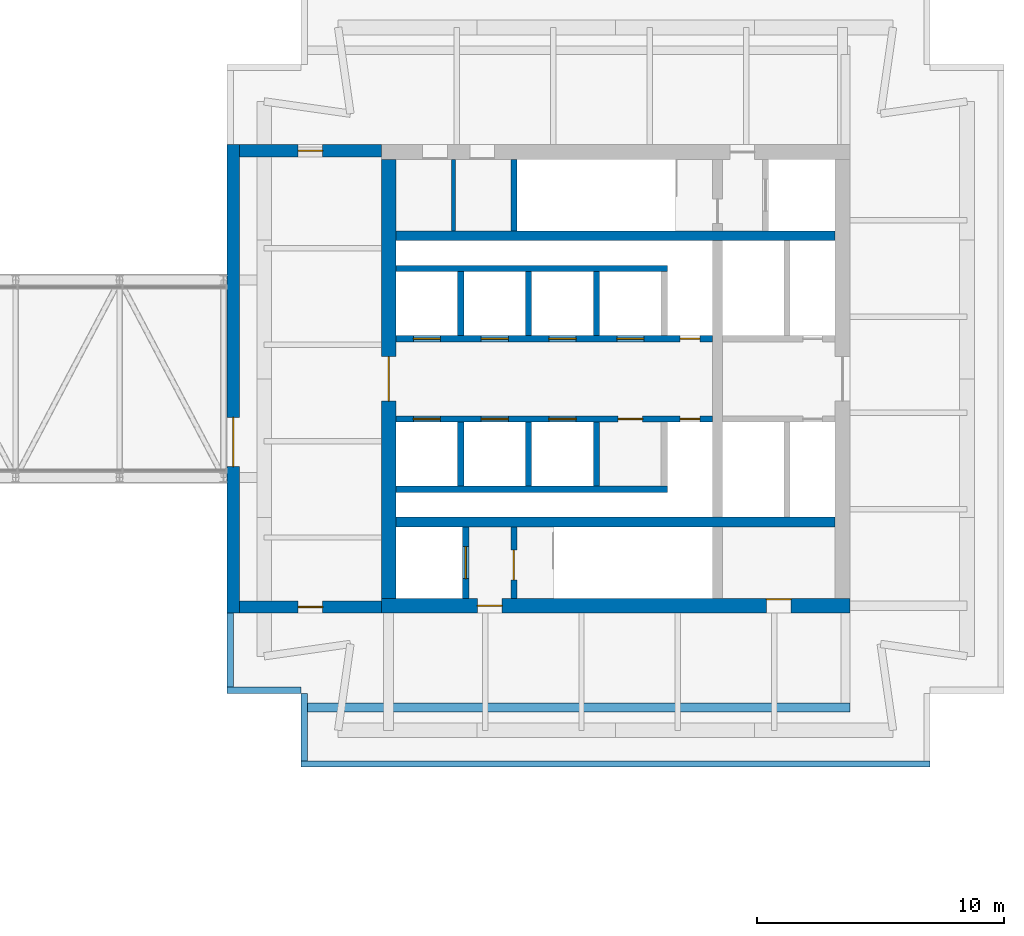
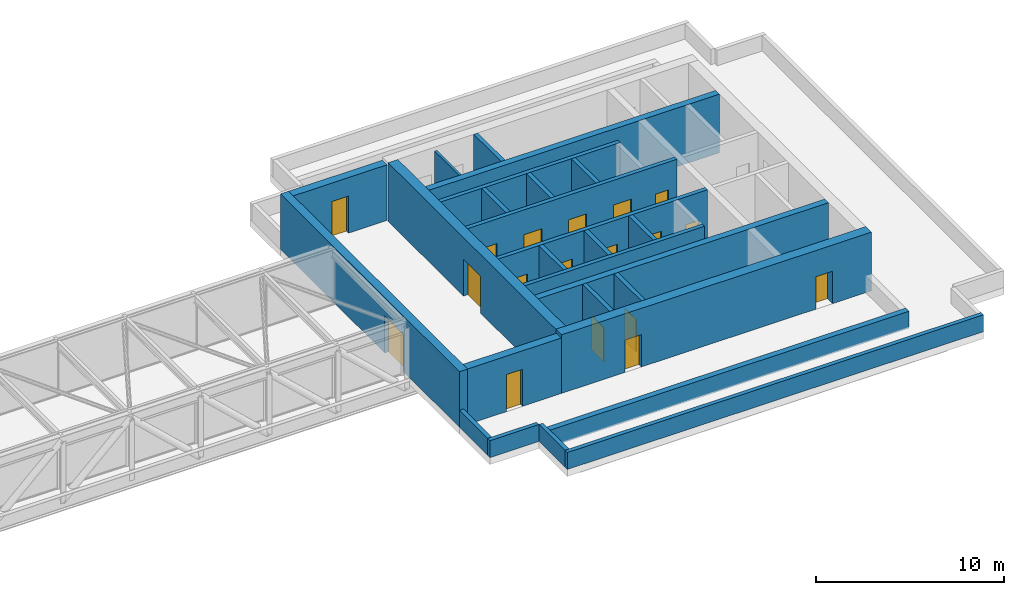
# One storey, part 16 of 19: 26 walls, 18 doors, 18 openings.
"""IFC4 building model written with IfcOpenShell, lengths in metres."""

from ifc_helpers import new_model, si_unit, direction, frame, frame_2d, origin, place, context, subcontext, project, spatial, rectangle, extrude, material, layer, layer_set, type_object, element, fill, save


model = new_model("IFC4")

# Units and contexts
model_context = context("Model", 3, precision=1e-05, world=origin(), true_north=direction((0.0, 1.0)))
body_context = subcontext(model_context, "Body", "Model", "MODEL_VIEW")
ifc_project = project(units=[si_unit("LENGTHUNIT", "METRE"), si_unit("AREAUNIT", "SQUARE_METRE"), si_unit("VOLUMEUNIT", "CUBIC_METRE"), si_unit("PLANEANGLEUNIT", "RADIAN"), si_unit("MASSUNIT", "GRAM", prefix="KILO")], contexts=[model_context])

# Site, building, storey
site_placement = place(None, origin())
site = spatial("IfcSite", under=ifc_project, at=site_placement, CompositionType="ELEMENT")
building_placement = place(site_placement, origin())
building = spatial("IfcBuilding", under=site, at=building_placement, Name="Ostroluk Exchange", CompositionType="ELEMENT")
storey_placement = place(building_placement, frame((0.0, 0.0, 131.199951171875)))
storey = spatial("IfcBuildingStorey", under=building, at=storey_placement, Name="L33", CompositionType="ELEMENT", Elevation=131.199951171875)

# Walls
ifc_material_1 = material(Name="Concrete blockwork", Category="masonry")
ifc_layer_1 = layer(ifc_material_1, 0.14990234375)
ifc_layer_set_1 = layer_set([ifc_layer_1], Name="Blockwork plant room wall 150")
wall_type_1 = type_object("IfcWallType", Name="Blockwork plant room wall 150", PredefinedType="SOLIDWALL", material=ifc_layer_set_1)
wall_1_placement = place(storey_placement, frame((110.425048828125, 52.0, 0.0), z_axis=(0.0, 0.0, 1.0), x_axis=(0.0, 1.0, 0.0)))
element("IfcWall", 1, at=wall_1_placement, inside=storey, type_object=wall_type_1, Name="Core room wall", PredefinedType="SOLIDWALL", context=body_context, shape_type="SweptSolid", body=[
    extrude(rectangle(XDim=2.89990234375, YDim=0.14990234375, at=frame_2d((1.449951171875, 0.0))), origin(), (0.0, 0.0, 1.0), 3.550048828125),
])
ifc_material_2 = material(Name="Concrete C50/60", Category="concrete")
ifc_layer_2 = layer(ifc_material_2, 0.39990234375)
ifc_layer_set_2 = layer_set([ifc_layer_2], Name="Core cross wall 400 C50/60")
wall_type_2 = type_object("IfcWallType", Name="Core cross wall 400 C50/60", PredefinedType="SHEAR", material=ifc_layer_set_2)
for number, where, z_axis, x_axis, name in (
    (2, (108.10009765625, 40.199951171875, 0.0), (0.0, 0.0, 1.0), (1.0, 0.0, 0.0), "T2 core wall XS"),
    (3, (108.10009765625, 51.800048828125, 0.0), (0.0, 0.0, 1.0), (1.0, 0.0, 0.0), "T2 core wall XN"),
):
    element("IfcWall", number, at=place(storey_placement, frame(where, z_axis=z_axis, x_axis=x_axis)), inside=storey, type_object=wall_type_2, Name=name, PredefinedType="SHEAR", context=body_context, shape_type="SweptSolid", body=[
        extrude(rectangle(XDim=17.7998046875, YDim=0.39990234375, at=frame_2d((8.89990234375, 0.0))), origin(), (0.0, 0.0, 1.0), 3.800048828125),
    ])

# Wall, opening, door
ifc_material_3 = material(Name="Concrete C40/50", Category="concrete")
ifc_layer_3 = layer(ifc_material_3, 0.25)
ifc_layer_set_3 = layer_set([ifc_layer_3], Name="Core shaft wall 250")
wall_type_3 = type_object("IfcWallType", Name="Core shaft wall 250", PredefinedType="SHEAR", material=ifc_layer_set_3)
wall_2_placement = place(storey_placement, frame((110.925048828125, 37.10009765625, 0.0), z_axis=(0.0, 0.0, 1.0), x_axis=(0.0, 1.0, 0.0)))
wall_2 = element("IfcWall", 4, at=wall_2_placement, inside=storey, type_object=wall_type_3, Name="Firefighting lift shaft wall", PredefinedType="SHEAR", context=body_context, shape_type="SweptSolid", body=[
    extrude(rectangle(XDim=2.89990234375, YDim=0.25, at=frame_2d((1.449951171875, 0.0))), origin(), (0.0, 0.0, 1.0), 3.800048828125),
])
opening_1_placement = place(wall_2_placement, frame((0.800048828125, 0.0, 0.0)))
opening_1 = element("IfcOpeningElement", 5, at=opening_1_placement, cuts=wall_2, Name="Opening LD2", PredefinedType="OPENING", context=body_context, shape_type="SweptSolid", body=[
    extrude(rectangle(XDim=1.300048828125, YDim=2.199951171875, at=frame_2d((0.64990234375, 1.10009765625))), frame((0.0, 0.135009765625, 0.0), z_axis=(0.0, -1.0, 0.0), x_axis=(1.0, 0.0, 0.0)), (0.0, 0.0, 1.0), 0.27001953125),
])
ifc_material_4 = material(Name="Stainless steel", Category="steel")
door_type_1 = type_object("IfcDoorType", Name="Lift landing door E 60 1300 x 2200", OperationType="DOUBLE_DOOR_SLIDING", PredefinedType="DOOR", material=ifc_material_4)
door_1_placement = place(opening_1_placement, origin())
door_1 = element("IfcDoor", 6, at=door_1_placement, inside=storey, type_object=door_type_1, Name="Lift HF1 landing door", OperationType="DOUBLE_DOOR_SLIDING", OverallHeight=2.199951171875, OverallWidth=1.300048828125, PredefinedType="DOOR", context=body_context, shape_type="SweptSolid", body=[
    extrude(rectangle(XDim=1.300048828125, YDim=2.199951171875, at=frame_2d((0.64990234375, 1.10009765625))), frame((0.0, 0.02490234375, 0.0), z_axis=(0.0, -1.0, 0.0), x_axis=(1.0, 0.0, 0.0)), (0.0, 0.0, 1.0), 0.050048828125),
])
fill(opening_1, door_1)

wall_3_placement = place(storey_placement, frame((112.875, 37.10009765625, 0.0), z_axis=(0.0, 0.0, 1.0), x_axis=(0.0, 1.0, 0.0)))
wall_3 = element("IfcWall", 7, at=wall_3_placement, inside=storey, type_object=wall_type_3, Name="Stair shaft wall", PredefinedType="SHEAR", context=body_context, shape_type="SweptSolid", body=[
    extrude(rectangle(XDim=2.89990234375, YDim=0.25, at=frame_2d((1.449951171875, 0.0))), origin(), (0.0, 0.0, 1.0), 3.800048828125),
])
opening_2_placement = place(wall_3_placement, frame((0.75, 0.0, 0.0)))
opening_2 = element("IfcOpeningElement", 8, at=opening_2_placement, cuts=wall_3, Name="Opening FD60S", PredefinedType="OPENING", context=body_context, shape_type="SweptSolid", body=[
    extrude(rectangle(XDim=1.199951171875, YDim=2.10009765625, at=frame_2d((0.60009765625, 1.050048828125))), frame((0.0, 0.135009765625, 0.0), z_axis=(0.0, -1.0, 0.0), x_axis=(1.0, 0.0, 0.0)), (0.0, 0.0, 1.0), 0.27001953125),
])
ifc_material_5 = material(Name="Steel", Category="steel")
door_type_2 = type_object("IfcDoorType", Name="Stair door EI 60 1200 x 2100", OperationType="SINGLE_SWING_LEFT", PredefinedType="DOOR", material=ifc_material_5)
door_2_placement = place(opening_2_placement, origin())
door_2 = element("IfcDoor", 9, at=door_2_placement, inside=storey, type_object=door_type_2, Name="Stair T2-S1 door", OperationType="SINGLE_SWING_LEFT", OverallHeight=2.10009765625, OverallWidth=1.199951171875, PredefinedType="DOOR", context=body_context, shape_type="SweptSolid", body=[
    extrude(rectangle(XDim=1.199951171875, YDim=2.10009765625, at=frame_2d((0.60009765625, 1.050048828125))), frame((0.0, 0.02490234375, 0.0), z_axis=(0.0, -1.0, 0.0), x_axis=(1.0, 0.0, 0.0)), (0.0, 0.0, 1.0), 0.050048828125),
])
fill(opening_2, door_2)

# Walls
wall_4_placement = place(storey_placement, frame((112.875, 52.0, 0.0), z_axis=(0.0, 0.0, 1.0), x_axis=(0.0, 1.0, 0.0)))
element("IfcWall", 10, at=wall_4_placement, inside=storey, type_object=wall_type_3, Name="Stair shaft wall", PredefinedType="SHEAR", context=body_context, shape_type="SweptSolid", body=[
    extrude(rectangle(XDim=2.89990234375, YDim=0.25, at=frame_2d((1.449951171875, 0.0))), origin(), (0.0, 0.0, 1.0), 3.800048828125),
])
for number, where, z_axis, x_axis, name in (
    (11, (110.72509765625, 47.75, 0.0), (0.0, 0.0, 1.0), (0.0, 1.0, 0.0), "Lift shaft wall"),
    (12, (113.47509765625, 47.75, 0.0), (0.0, 0.0, 1.0), (0.0, 1.0, 0.0), "Lift shaft wall"),
    (13, (116.22509765625, 47.75, 0.0), (0.0, 0.0, 1.0), (0.0, 1.0, 0.0), "Lift shaft wall"),
):
    element("IfcWall", number, at=place(storey_placement, frame(where, z_axis=z_axis, x_axis=x_axis)), inside=storey, type_object=wall_type_3, Name=name, PredefinedType="SHEAR", context=body_context, shape_type="SweptSolid", body=[
        extrude(rectangle(XDim=2.60009765625, YDim=0.25, at=frame_2d((1.300048828125, 0.0))), origin(), (0.0, 0.0, 1.0), 3.800048828125),
    ])
wall_5_placement = place(storey_placement, frame((108.10009765625, 50.47509765625, 0.0), z_axis=(0.0, 0.0, 1.0), x_axis=(1.0, 0.0, 0.0)))
element("IfcWall", 14, at=wall_5_placement, inside=storey, type_object=wall_type_3, Name="Lift shaft wall", PredefinedType="SHEAR", context=body_context, shape_type="SweptSolid", body=[
    extrude(rectangle(XDim=11.0, YDim=0.25, at=frame_2d((5.5, 0.0))), origin(), (0.0, 0.0, 1.0), 3.800048828125),
])

# Wall, openings, doors
wall_6_placement = place(storey_placement, frame((108.10009765625, 47.625, 0.0), z_axis=(0.0, 0.0, 1.0), x_axis=(1.0, 0.0, 0.0)))
wall_6 = element("IfcWall", 15, at=wall_6_placement, inside=storey, type_object=wall_type_3, Name="Lift shaft front wall", PredefinedType="SHEAR", context=body_context, shape_type="SweptSolid", body=[
    extrude(rectangle(XDim=12.829833984375, YDim=0.25, at=frame_2d((6.4150390625, 0.0))), origin(), (0.0, 0.0, 1.0), 3.800048828125),
])
opening_3_placement = place(wall_6_placement, frame((0.699951171875, 0.0, 0.0)))
opening_3 = element("IfcOpeningElement", 16, at=opening_3_placement, cuts=wall_6, Name="Opening LD", PredefinedType="OPENING", context=body_context, shape_type="SweptSolid", body=[
    extrude(rectangle(XDim=1.10009765625, YDim=2.199951171875, at=frame_2d((0.550048828125, 1.10009765625))), frame((0.0, 0.135009765625, 0.0), z_axis=(0.0, -1.0, 0.0), x_axis=(1.0, 0.0, 0.0)), (0.0, 0.0, 1.0), 0.27001953125),
])
opening_4_placement = place(wall_6_placement, frame((3.449951171875, 0.0, 0.0)))
opening_4 = element("IfcOpeningElement", 17, at=opening_4_placement, cuts=wall_6, Name="Opening LD", PredefinedType="OPENING", context=body_context, shape_type="SweptSolid", body=[
    extrude(rectangle(XDim=1.10009765625, YDim=2.199951171875, at=frame_2d((0.550048828125, 1.10009765625))), frame((0.0, 0.135009765625, 0.0), z_axis=(0.0, -1.0, 0.0), x_axis=(1.0, 0.0, 0.0)), (0.0, 0.0, 1.0), 0.27001953125),
])
opening_5_placement = place(wall_6_placement, frame((6.199951171875, 0.0, 0.0)))
opening_5 = element("IfcOpeningElement", 18, at=opening_5_placement, cuts=wall_6, Name="Opening LD", PredefinedType="OPENING", context=body_context, shape_type="SweptSolid", body=[
    extrude(rectangle(XDim=1.10009765625, YDim=2.199951171875, at=frame_2d((0.550048828125, 1.10009765625))), frame((0.0, 0.135009765625, 0.0), z_axis=(0.0, -1.0, 0.0), x_axis=(1.0, 0.0, 0.0)), (0.0, 0.0, 1.0), 0.27001953125),
])
opening_6_placement = place(wall_6_placement, frame((8.949951171875, 0.0, 0.0)))
opening_6 = element("IfcOpeningElement", 19, at=opening_6_placement, cuts=wall_6, Name="Opening LD", PredefinedType="OPENING", context=body_context, shape_type="SweptSolid", body=[
    extrude(rectangle(XDim=1.10009765625, YDim=2.199951171875, at=frame_2d((0.550048828125, 1.10009765625))), frame((0.0, 0.135009765625, 0.0), z_axis=(0.0, -1.0, 0.0), x_axis=(1.0, 0.0, 0.0)), (0.0, 0.0, 1.0), 0.27001953125),
])
opening_7_placement = place(wall_6_placement, frame((11.514892578125, 0.0, 0.0)))
opening_7 = element("IfcOpeningElement", 20, at=opening_7_placement, cuts=wall_6, Name="Opening RD60", PredefinedType="OPENING", context=body_context, shape_type="SweptSolid", body=[
    extrude(rectangle(XDim=0.800048828125, YDim=2.0, at=frame_2d((0.39990234375, 1.0))), frame((0.0, 0.135009765625, 0.0), z_axis=(0.0, -1.0, 0.0), x_axis=(1.0, 0.0, 0.0)), (0.0, 0.0, 1.0), 0.27001953125),
])
ifc_material_6 = material(Name="Stainless steel", Category="steel")
door_type_3 = type_object("IfcDoorType", Name="Lift landing door E 60 1100 x 2200", OperationType="DOUBLE_DOOR_SLIDING", PredefinedType="DOOR", material=ifc_material_6)
door_3_placement = place(opening_3_placement, origin())
door_3 = element("IfcDoor", 21, at=door_3_placement, inside=storey, type_object=door_type_3, Name="Lift HL1 landing door", OperationType="DOUBLE_DOOR_SLIDING", OverallHeight=2.199951171875, OverallWidth=1.10009765625, PredefinedType="DOOR", context=body_context, shape_type="SweptSolid", body=[
    extrude(rectangle(XDim=1.10009765625, YDim=2.199951171875, at=frame_2d((0.550048828125, 1.10009765625))), frame((0.0, 0.02490234375, 0.0), z_axis=(0.0, -1.0, 0.0), x_axis=(1.0, 0.0, 0.0)), (0.0, 0.0, 1.0), 0.050048828125),
])
fill(opening_3, door_3)
door_4_placement = place(opening_4_placement, origin())
door_4 = element("IfcDoor", 22, at=door_4_placement, inside=storey, type_object=door_type_3, Name="Lift HL2 landing door", OperationType="DOUBLE_DOOR_SLIDING", OverallHeight=2.199951171875, OverallWidth=1.10009765625, PredefinedType="DOOR", context=body_context, shape_type="SweptSolid", body=[
    extrude(rectangle(XDim=1.10009765625, YDim=2.199951171875, at=frame_2d((0.550048828125, 1.10009765625))), frame((0.0, 0.02490234375, 0.0), z_axis=(0.0, -1.0, 0.0), x_axis=(1.0, 0.0, 0.0)), (0.0, 0.0, 1.0), 0.050048828125),
])
fill(opening_4, door_4)
door_5_placement = place(opening_5_placement, origin())
door_5 = element("IfcDoor", 23, at=door_5_placement, inside=storey, type_object=door_type_3, Name="Lift HL3 landing door", OperationType="DOUBLE_DOOR_SLIDING", OverallHeight=2.199951171875, OverallWidth=1.10009765625, PredefinedType="DOOR", context=body_context, shape_type="SweptSolid", body=[
    extrude(rectangle(XDim=1.10009765625, YDim=2.199951171875, at=frame_2d((0.550048828125, 1.10009765625))), frame((0.0, 0.02490234375, 0.0), z_axis=(0.0, -1.0, 0.0), x_axis=(1.0, 0.0, 0.0)), (0.0, 0.0, 1.0), 0.050048828125),
])
fill(opening_5, door_5)
door_6_placement = place(opening_6_placement, origin())
door_6 = element("IfcDoor", 24, at=door_6_placement, inside=storey, type_object=door_type_3, Name="Lift HL4 landing door", OperationType="DOUBLE_DOOR_SLIDING", OverallHeight=2.199951171875, OverallWidth=1.10009765625, PredefinedType="DOOR", context=body_context, shape_type="SweptSolid", body=[
    extrude(rectangle(XDim=1.10009765625, YDim=2.199951171875, at=frame_2d((0.550048828125, 1.10009765625))), frame((0.0, 0.02490234375, 0.0), z_axis=(0.0, -1.0, 0.0), x_axis=(1.0, 0.0, 0.0)), (0.0, 0.0, 1.0), 0.050048828125),
])
fill(opening_6, door_6)
ifc_material_7 = material(Name="Steel", Category="steel")
door_type_4 = type_object("IfcDoorType", Name="Riser access door EI 60 800 x 2000", OperationType="SINGLE_SWING_LEFT", PredefinedType="DOOR", material=ifc_material_7)
door_7_placement = place(opening_7_placement, origin())
door_7 = element("IfcDoor", 25, at=door_7_placement, inside=storey, type_object=door_type_4, Name="Riser access door", OperationType="SINGLE_SWING_RIGHT", OverallHeight=2.0, OverallWidth=0.800048828125, PredefinedType="DOOR", context=body_context, shape_type="SweptSolid", body=[
    extrude(rectangle(XDim=0.800048828125, YDim=2.0, at=frame_2d((0.39990234375, 1.0))), frame((0.0, 0.02490234375, 0.0), z_axis=(0.0, -1.0, 0.0), x_axis=(1.0, 0.0, 0.0)), (0.0, 0.0, 1.0), 0.050048828125),
])
fill(opening_7, door_7)

# Walls
for number, where, z_axis, x_axis, name in (
    (26, (110.72509765625, 44.25, 0.0), (0.0, 0.0, 1.0), (0.0, -1.0, 0.0), "Lift shaft wall"),
    (27, (113.47509765625, 44.25, 0.0), (0.0, 0.0, 1.0), (0.0, -1.0, 0.0), "Lift shaft wall"),
    (28, (116.22509765625, 44.25, 0.0), (0.0, 0.0, 1.0), (0.0, -1.0, 0.0), "Lift shaft wall"),
):
    element("IfcWall", number, at=place(storey_placement, frame(where, z_axis=z_axis, x_axis=x_axis)), inside=storey, type_object=wall_type_3, Name=name, PredefinedType="SHEAR", context=body_context, shape_type="SweptSolid", body=[
        extrude(rectangle(XDim=2.60009765625, YDim=0.25, at=frame_2d((1.300048828125, 0.0))), origin(), (0.0, 0.0, 1.0), 3.800048828125),
    ])
wall_7_placement = place(storey_placement, frame((108.10009765625, 41.52490234375, 0.0), z_axis=(0.0, 0.0, 1.0), x_axis=(1.0, 0.0, 0.0)))
element("IfcWall", 29, at=wall_7_placement, inside=storey, type_object=wall_type_3, Name="Lift shaft wall", PredefinedType="SHEAR", context=body_context, shape_type="SweptSolid", body=[
    extrude(rectangle(XDim=11.0, YDim=0.25, at=frame_2d((5.5, 0.0))), origin(), (0.0, 0.0, 1.0), 3.800048828125),
])

# Wall, openings, doors
wall_8_placement = place(storey_placement, frame((108.10009765625, 44.375, 0.0), z_axis=(0.0, 0.0, 1.0), x_axis=(1.0, 0.0, 0.0)))
wall_8 = element("IfcWall", 30, at=wall_8_placement, inside=storey, type_object=wall_type_3, Name="Lift shaft front wall", PredefinedType="SHEAR", context=body_context, shape_type="SweptSolid", body=[
    extrude(rectangle(XDim=12.829833984375, YDim=0.25, at=frame_2d((6.4150390625, 0.0))), origin(), (0.0, 0.0, 1.0), 3.800048828125),
])
opening_8_placement = place(wall_8_placement, frame((0.699951171875, 0.0, 0.0)))
opening_8 = element("IfcOpeningElement", 31, at=opening_8_placement, cuts=wall_8, Name="Opening LD", PredefinedType="OPENING", context=body_context, shape_type="SweptSolid", body=[
    extrude(rectangle(XDim=1.10009765625, YDim=2.199951171875, at=frame_2d((0.550048828125, 1.10009765625))), frame((0.0, 0.135009765625, 0.0), z_axis=(0.0, -1.0, 0.0), x_axis=(1.0, 0.0, 0.0)), (0.0, 0.0, 1.0), 0.27001953125),
])
opening_9_placement = place(wall_8_placement, frame((3.449951171875, 0.0, 0.0)))
opening_9 = element("IfcOpeningElement", 32, at=opening_9_placement, cuts=wall_8, Name="Opening LD", PredefinedType="OPENING", context=body_context, shape_type="SweptSolid", body=[
    extrude(rectangle(XDim=1.10009765625, YDim=2.199951171875, at=frame_2d((0.550048828125, 1.10009765625))), frame((0.0, 0.135009765625, 0.0), z_axis=(0.0, -1.0, 0.0), x_axis=(1.0, 0.0, 0.0)), (0.0, 0.0, 1.0), 0.27001953125),
])
opening_10_placement = place(wall_8_placement, frame((6.199951171875, 0.0, 0.0)))
opening_10 = element("IfcOpeningElement", 33, at=opening_10_placement, cuts=wall_8, Name="Opening LD", PredefinedType="OPENING", context=body_context, shape_type="SweptSolid", body=[
    extrude(rectangle(XDim=1.10009765625, YDim=2.199951171875, at=frame_2d((0.550048828125, 1.10009765625))), frame((0.0, 0.135009765625, 0.0), z_axis=(0.0, -1.0, 0.0), x_axis=(1.0, 0.0, 0.0)), (0.0, 0.0, 1.0), 0.27001953125),
])
opening_11_placement = place(wall_8_placement, frame((9.0, 0.0, 0.0)))
opening_11 = element("IfcOpeningElement", 34, at=opening_11_placement, cuts=wall_8, Name="Opening FD60", PredefinedType="OPENING", context=body_context, shape_type="SweptSolid", body=[
    extrude(rectangle(XDim=1.0, YDim=2.10009765625, at=frame_2d((0.5, 1.050048828125))), frame((0.0, 0.135009765625, 0.0), z_axis=(0.0, -1.0, 0.0), x_axis=(1.0, 0.0, 0.0)), (0.0, 0.0, 1.0), 0.27001953125),
])
opening_12_placement = place(wall_8_placement, frame((11.514892578125, 0.0, 0.0)))
opening_12 = element("IfcOpeningElement", 35, at=opening_12_placement, cuts=wall_8, Name="Opening RD60", PredefinedType="OPENING", context=body_context, shape_type="SweptSolid", body=[
    extrude(rectangle(XDim=0.800048828125, YDim=2.0, at=frame_2d((0.39990234375, 1.0))), frame((0.0, 0.135009765625, 0.0), z_axis=(0.0, -1.0, 0.0), x_axis=(1.0, 0.0, 0.0)), (0.0, 0.0, 1.0), 0.27001953125),
])
ifc_material_8 = material(Name="Steel", Category="steel")
door_type_5 = type_object("IfcDoorType", Name="Fire door EI 60 1000 x 2100", OperationType="SINGLE_SWING_LEFT", PredefinedType="DOOR", material=ifc_material_8)
door_8_placement = place(opening_11_placement, origin())
door_8 = element("IfcDoor", 36, at=door_8_placement, inside=storey, type_object=door_type_5, Name="Core room door", OperationType="SINGLE_SWING_RIGHT", OverallHeight=2.10009765625, OverallWidth=1.0, PredefinedType="DOOR", context=body_context, shape_type="SweptSolid", body=[
    extrude(rectangle(XDim=1.0, YDim=2.10009765625, at=frame_2d((0.5, 1.050048828125))), frame((0.0, 0.02490234375, 0.0), z_axis=(0.0, -1.0, 0.0), x_axis=(1.0, 0.0, 0.0)), (0.0, 0.0, 1.0), 0.050048828125),
])
fill(opening_11, door_8)
door_9_placement = place(opening_8_placement, origin())
door_9 = element("IfcDoor", 37, at=door_9_placement, inside=storey, type_object=door_type_3, Name="Lift HL5 landing door", OperationType="DOUBLE_DOOR_SLIDING", OverallHeight=2.199951171875, OverallWidth=1.10009765625, PredefinedType="DOOR", context=body_context, shape_type="SweptSolid", body=[
    extrude(rectangle(XDim=1.10009765625, YDim=2.199951171875, at=frame_2d((0.550048828125, 1.10009765625))), frame((0.0, 0.02490234375, 0.0), z_axis=(0.0, -1.0, 0.0), x_axis=(1.0, 0.0, 0.0)), (0.0, 0.0, 1.0), 0.050048828125),
])
fill(opening_8, door_9)
door_10_placement = place(opening_9_placement, origin())
door_10 = element("IfcDoor", 38, at=door_10_placement, inside=storey, type_object=door_type_3, Name="Lift HL6 landing door", OperationType="DOUBLE_DOOR_SLIDING", OverallHeight=2.199951171875, OverallWidth=1.10009765625, PredefinedType="DOOR", context=body_context, shape_type="SweptSolid", body=[
    extrude(rectangle(XDim=1.10009765625, YDim=2.199951171875, at=frame_2d((0.550048828125, 1.10009765625))), frame((0.0, 0.02490234375, 0.0), z_axis=(0.0, -1.0, 0.0), x_axis=(1.0, 0.0, 0.0)), (0.0, 0.0, 1.0), 0.050048828125),
])
fill(opening_9, door_10)
door_11_placement = place(opening_10_placement, origin())
door_11 = element("IfcDoor", 39, at=door_11_placement, inside=storey, type_object=door_type_3, Name="Lift HL7 landing door", OperationType="DOUBLE_DOOR_SLIDING", OverallHeight=2.199951171875, OverallWidth=1.10009765625, PredefinedType="DOOR", context=body_context, shape_type="SweptSolid", body=[
    extrude(rectangle(XDim=1.10009765625, YDim=2.199951171875, at=frame_2d((0.550048828125, 1.10009765625))), frame((0.0, 0.02490234375, 0.0), z_axis=(0.0, -1.0, 0.0), x_axis=(1.0, 0.0, 0.0)), (0.0, 0.0, 1.0), 0.050048828125),
])
fill(opening_10, door_11)
door_12_placement = place(opening_12_placement, origin())
door_12 = element("IfcDoor", 40, at=door_12_placement, inside=storey, type_object=door_type_4, Name="Riser access door", OperationType="SINGLE_SWING_RIGHT", OverallHeight=2.0, OverallWidth=0.800048828125, PredefinedType="DOOR", context=body_context, shape_type="SweptSolid", body=[
    extrude(rectangle(XDim=0.800048828125, YDim=2.0, at=frame_2d((0.39990234375, 1.0))), frame((0.0, 0.02490234375, 0.0), z_axis=(0.0, -1.0, 0.0), x_axis=(1.0, 0.0, 0.0)), (0.0, 0.0, 1.0), 0.050048828125),
])
fill(opening_12, door_12)

ifc_material_9 = material(Name="Concrete C50/60", Category="concrete")
ifc_layer_4 = layer(ifc_material_9, 0.60009765625)
ifc_layer_set_4 = layer_set([ifc_layer_4], Name="Core wall 600 C50/60")
wall_type_4 = type_object("IfcWallType", Name="Core wall 600 C50/60", PredefinedType="SHEAR", material=ifc_layer_set_4)
wall_9_placement = place(storey_placement, frame((107.5, 36.800048828125, 0.0), z_axis=(0.0, 0.0, 1.0), x_axis=(1.0, 0.0, 0.0)))
wall_9 = element("IfcWall", 41, at=wall_9_placement, inside=storey, type_object=wall_type_4, Name="T2 core wall S", PredefinedType="SHEAR", context=body_context, shape_type="SweptSolid", body=[
    extrude(rectangle(XDim=19.0, YDim=0.60009765625, at=frame_2d((9.5, 0.0))), origin(), (0.0, 0.0, 1.0), 3.800048828125),
])
opening_13_placement = place(wall_9_placement, frame((3.89990234375, 0.0, 0.0)))
opening_13 = element("IfcOpeningElement", 42, at=opening_13_placement, cuts=wall_9, Name="Opening FD60", PredefinedType="OPENING", context=body_context, shape_type="SweptSolid", body=[
    extrude(rectangle(XDim=1.0, YDim=2.10009765625, at=frame_2d((0.5, 1.050048828125))), frame((0.0, 0.31005859375, 0.0), z_axis=(0.0, -1.0, 0.0), x_axis=(1.0, 0.0, 0.0)), (0.0, 0.0, 1.0), 0.6201171875),
])
opening_14_placement = place(wall_9_placement, frame((15.614990234375, 0.0, 0.0)))
opening_14 = element("IfcOpeningElement", 43, at=opening_14_placement, cuts=wall_9, Name="Opening FD60", PredefinedType="OPENING", context=body_context, shape_type="SweptSolid", body=[
    extrude(rectangle(XDim=1.0, YDim=2.10009765625, at=frame_2d((0.5, 1.050048828125))), frame((0.0, 0.31005859375, 0.0), z_axis=(0.0, -1.0, 0.0), x_axis=(1.0, 0.0, 0.0)), (0.0, 0.0, 1.0), 0.6201171875),
])
door_13_placement = place(opening_13_placement, origin())
door_13 = element("IfcDoor", 44, at=door_13_placement, inside=storey, type_object=door_type_5, Name="Firefighting lobby door", OperationType="SINGLE_SWING_LEFT", OverallHeight=2.10009765625, OverallWidth=1.0, PredefinedType="DOOR", context=body_context, shape_type="SweptSolid", body=[
    extrude(rectangle(XDim=1.0, YDim=2.10009765625, at=frame_2d((0.5, 1.050048828125))), frame((0.0, 0.02490234375, 0.0), z_axis=(0.0, -1.0, 0.0), x_axis=(1.0, 0.0, 0.0)), (0.0, 0.0, 1.0), 0.050048828125),
])
fill(opening_13, door_13)
door_14_placement = place(opening_14_placement, origin())
door_14 = element("IfcDoor", 45, at=door_14_placement, inside=storey, type_object=door_type_5, Name="Guest pantry door", OperationType="SINGLE_SWING_RIGHT", OverallHeight=2.10009765625, OverallWidth=1.0, PredefinedType="DOOR", context=body_context, shape_type="SweptSolid", body=[
    extrude(rectangle(XDim=1.0, YDim=2.10009765625, at=frame_2d((0.5, 1.050048828125))), frame((0.0, 0.2900390625, 0.0), z_axis=(0.0, -1.0, 0.0), x_axis=(1.0, 0.0, 0.0)), (0.0, 0.0, 1.0), 0.050048828125),
])
fill(opening_14, door_14)

# Wall, opening, door
wall_10_placement = place(storey_placement, frame((107.800048828125, 37.10009765625, 0.0), z_axis=(0.0, 0.0, 1.0), x_axis=(0.0, 1.0, 0.0)))
wall_10 = element("IfcWall", 46, at=wall_10_placement, inside=storey, type_object=wall_type_4, Name="T2 core wall W", PredefinedType="SHEAR", context=body_context, shape_type="SweptSolid", body=[
    extrude(rectangle(XDim=17.7998046875, YDim=0.60009765625, at=frame_2d((8.89990234375, 0.0))), origin(), (0.0, 0.0, 1.0), 3.800048828125),
])
opening_15_placement = place(wall_10_placement, frame((8.0, 0.0, 0.0)))
opening_15 = element("IfcOpeningElement", 47, at=opening_15_placement, cuts=wall_10, Name="Opening FD30D", PredefinedType="OPENING", context=body_context, shape_type="SweptSolid", body=[
    extrude(rectangle(XDim=1.800048828125, YDim=2.39990234375, at=frame_2d((0.89990234375, 1.199951171875))), frame((0.0, 0.31005859375, 0.0), z_axis=(0.0, -1.0, 0.0), x_axis=(1.0, 0.0, 0.0)), (0.0, 0.0, 1.0), 0.6201171875),
])
ifc_material_10 = material(Name="Timber", Category="wood")
door_type_6 = type_object("IfcDoorType", Name="Lobby double door EI 30 1800 x 2400", OperationType="DOUBLE_DOOR_SINGLE_SWING", PredefinedType="DOOR", material=ifc_material_10)
door_15_placement = place(opening_15_placement, origin())
door_15 = element("IfcDoor", 48, at=door_15_placement, inside=storey, type_object=door_type_6, Name="Lift lobby doors", OperationType="DOUBLE_DOOR_SINGLE_SWING", OverallHeight=2.39990234375, OverallWidth=1.800048828125, PredefinedType="DOOR", context=body_context, shape_type="SweptSolid", body=[
    extrude(rectangle(XDim=1.800048828125, YDim=2.39990234375, at=frame_2d((0.89990234375, 1.199951171875))), frame((0.0, 0.02490234375, 0.0), z_axis=(0.0, -1.0, 0.0), x_axis=(1.0, 0.0, 0.0)), (0.0, 0.0, 1.0), 0.050048828125),
])
fill(opening_15, door_15)

# Walls
ifc_material_11 = material(Name="Limestone", Category="masonry")
ifc_layer_5 = layer(ifc_material_11, 0.25)
ifc_layer_set_5 = layer_set([ifc_layer_5], Name="Green roof parapet 250")
wall_type_5 = type_object("IfcWallType", Name="Green roof parapet 250", PredefinedType="PARAPET", material=ifc_layer_set_5)
for number, where, z_axis, x_axis, name in (
    (49, (101.25, 33.375, 0.0), (0.0, 0.0, 1.0), (1.0, 0.0, 0.0), "Roof parapet 1"),
    (50, (101.375, 33.5, 0.0), (0.0, 0.0, 1.0), (0.0, 1.0, 0.0), "Roof parapet 2"),
):
    element("IfcWall", number, at=place(storey_placement, frame(where, z_axis=z_axis, x_axis=x_axis)), inside=storey, type_object=wall_type_5, Name=name, PredefinedType="PARAPET", context=body_context, shape_type="SweptSolid", body=[
        extrude(rectangle(XDim=3.0, YDim=0.25, at=frame_2d((1.5, 0.0))), origin(), (0.0, 0.0, 1.0), 1.10009765625),
    ])
wall_11_placement = place(storey_placement, frame((104.25, 30.375, 0.0), z_axis=(0.0, 0.0, 1.0), x_axis=(1.0, 0.0, 0.0)))
element("IfcWall", 51, at=wall_11_placement, inside=storey, type_object=wall_type_5, Name="Roof parapet 5", PredefinedType="PARAPET", context=body_context, shape_type="SweptSolid", body=[
    extrude(rectangle(XDim=25.5, YDim=0.25, at=frame_2d((12.75, 0.0))), origin(), (0.0, 0.0, 1.0), 1.10009765625),
])
wall_12_placement = place(storey_placement, frame((104.375, 30.5, 0.0), z_axis=(0.0, 0.0, 1.0), x_axis=(0.0, 1.0, 0.0)))
element("IfcWall", 52, at=wall_12_placement, inside=storey, type_object=wall_type_5, Name="Roof parapet 6", PredefinedType="PARAPET", context=body_context, shape_type="SweptSolid", body=[
    extrude(rectangle(XDim=2.75, YDim=0.25, at=frame_2d((1.375, 0.0))), origin(), (0.0, 0.0, 1.0), 1.10009765625),
])

# Wall, opening, door
ifc_material_12 = material(Name="Limestone masonry", Category="masonry")
ifc_layer_6 = layer(ifc_material_12, 0.5)
ifc_layer_set_6 = layer_set([ifc_layer_6], Name="Load-bearing limestone wall 500")
wall_type_6 = type_object("IfcWallType", Name="Load-bearing limestone wall 500", PredefinedType="SOLIDWALL", material=ifc_layer_set_6)
wall_13_placement = place(storey_placement, frame((101.5, 36.5, 0.0), z_axis=(0.0, 0.0, 1.0), x_axis=(0.0, 1.0, 0.0)))
wall_13 = element("IfcWall", 53, at=wall_13_placement, inside=storey, type_object=wall_type_6, Name="Roof pavilion west wall", PredefinedType="SOLIDWALL", context=body_context, shape_type="SweptSolid", body=[
    extrude(rectangle(XDim=19.0, YDim=0.5, at=frame_2d((9.5, 0.0))), origin(), (0.0, 0.0, 1.0), 3.60009765625),
])
opening_16_placement = place(wall_13_placement, frame((5.93994140625, 0.0, 0.0)))
opening_16 = element("IfcOpeningElement", 54, at=opening_16_placement, cuts=wall_13, Name="Opening D-F1", PredefinedType="OPENING", context=body_context, shape_type="SweptSolid", body=[
    extrude(rectangle(XDim=2.0, YDim=2.39990234375, at=frame_2d((1.0, 1.199951171875))), frame((0.0, 0.260009765625, 0.0), z_axis=(0.0, -1.0, 0.0), x_axis=(1.0, 0.0, 0.0)), (0.0, 0.0, 1.0), 0.52001953125),
])
ifc_material_13 = material(Name="Steel fire door", Category="steel")
door_type_7 = type_object("IfcDoorType", Name="Fire door 2000 x 2400 EI 60", OperationType="DOUBLE_DOOR_SINGLE_SWING", PredefinedType="DOOR", material=ifc_material_13)
door_16_placement = place(opening_16_placement, origin())
door_16 = element("IfcDoor", 55, at=door_16_placement, inside=storey, type_object=door_type_7, Name="Sky garden bridge fire door east", OperationType="DOUBLE_DOOR_SINGLE_SWING", OverallHeight=2.39990234375, OverallWidth=2.0, PredefinedType="DOOR", context=body_context, shape_type="SweptSolid", body=[
    extrude(rectangle(XDim=2.0, YDim=2.39990234375, at=frame_2d((1.0, 1.199951171875))), frame((0.0, 0.02490234375, 0.0), z_axis=(0.0, -1.0, 0.0), x_axis=(1.0, 0.0, 0.0)), (0.0, 0.0, 1.0), 0.050048828125),
])
fill(opening_16, door_16)

wall_14_placement = place(storey_placement, frame((101.75, 36.75, 0.0), z_axis=(0.0, 0.0, 1.0), x_axis=(1.0, 0.0, 0.0)))
wall_14 = element("IfcWall", 56, at=wall_14_placement, inside=storey, type_object=wall_type_6, Name="Roof pavilion south wall", PredefinedType="SOLIDWALL", context=body_context, shape_type="SweptSolid", body=[
    extrude(rectangle(XDim=5.75, YDim=0.5, at=frame_2d((2.875, 0.0))), origin(), (0.0, 0.0, 1.0), 3.60009765625),
])
opening_17_placement = place(wall_14_placement, frame((2.375, 0.0, 0.0)))
opening_17 = element("IfcOpeningElement", 57, at=opening_17_placement, cuts=wall_14, Name="Opening D-P1", PredefinedType="OPENING", context=body_context, shape_type="SweptSolid", body=[
    extrude(rectangle(XDim=1.0, YDim=2.39990234375, at=frame_2d((0.5, 1.199951171875))), frame((0.0, 0.260009765625, 0.0), z_axis=(0.0, -1.0, 0.0), x_axis=(1.0, 0.0, 0.0)), (0.0, 0.0, 1.0), 0.52001953125),
])
ifc_material_14 = material(Name="Bronze framed glazed door", Category="aluminium")
door_type_8 = type_object("IfcDoorType", Name="Pavilion door 1000 x 2400", OperationType="SINGLE_SWING_LEFT", PredefinedType="DOOR", material=ifc_material_14)
door_17_placement = place(opening_17_placement, origin())
door_17 = element("IfcDoor", 58, at=door_17_placement, inside=storey, type_object=door_type_8, Name="Roof pavilion door south", OperationType="SINGLE_SWING_LEFT", OverallHeight=2.39990234375, OverallWidth=1.0, PredefinedType="DOOR", context=body_context, shape_type="SweptSolid", body=[
    extrude(rectangle(XDim=1.0, YDim=2.39990234375, at=frame_2d((0.5, 1.199951171875))), frame((0.0, 0.02490234375, 0.0), z_axis=(0.0, -1.0, 0.0), x_axis=(1.0, 0.0, 0.0)), (0.0, 0.0, 1.0), 0.050048828125),
])
fill(opening_17, door_17)

wall_15_placement = place(storey_placement, frame((107.5, 55.25, 0.0), z_axis=(0.0, 0.0, 1.0), x_axis=(-1.0, 0.0, 0.0)))
wall_15 = element("IfcWall", 59, at=wall_15_placement, inside=storey, type_object=wall_type_6, Name="Roof pavilion north wall", PredefinedType="SOLIDWALL", context=body_context, shape_type="SweptSolid", body=[
    extrude(rectangle(XDim=5.75, YDim=0.5, at=frame_2d((2.875, 0.0))), origin(), (0.0, 0.0, 1.0), 3.60009765625),
])
opening_18_placement = place(wall_15_placement, frame((2.375, 0.0, 0.0)))
opening_18 = element("IfcOpeningElement", 60, at=opening_18_placement, cuts=wall_15, Name="Opening D-P1", PredefinedType="OPENING", context=body_context, shape_type="SweptSolid", body=[
    extrude(rectangle(XDim=1.0, YDim=2.39990234375, at=frame_2d((0.5, 1.199951171875))), frame((0.0, 0.260009765625, 0.0), z_axis=(0.0, -1.0, 0.0), x_axis=(1.0, 0.0, 0.0)), (0.0, 0.0, 1.0), 0.52001953125),
])
door_18_placement = place(opening_18_placement, origin())
door_18 = element("IfcDoor", 61, at=door_18_placement, inside=storey, type_object=door_type_8, Name="Roof pavilion door north", OperationType="SINGLE_SWING_LEFT", OverallHeight=2.39990234375, OverallWidth=1.0, PredefinedType="DOOR", context=body_context, shape_type="SweptSolid", body=[
    extrude(rectangle(XDim=1.0, YDim=2.39990234375, at=frame_2d((0.5, 1.199951171875))), frame((0.0, 0.02490234375, 0.0), z_axis=(0.0, -1.0, 0.0), x_axis=(1.0, 0.0, 0.0)), (0.0, 0.0, 1.0), 0.050048828125),
])
fill(opening_18, door_18)

# Wall
ifc_material_15 = material(Name="Limestone", Category="masonry")
ifc_layer_7 = layer(ifc_material_15, 0.35009765625)
ifc_layer_set_7 = layer_set([ifc_layer_7], Name="Planter wall 350")
wall_type_7 = type_object("IfcWallType", Name="Planter wall 350", PredefinedType="PARAPET", material=ifc_layer_set_7)
wall_16_placement = place(storey_placement, frame((104.5, 32.675048828125, 0.0), z_axis=(0.0, 0.0, 1.0), x_axis=(1.0, 0.0, 0.0)))
element("IfcWall", 62, at=wall_16_placement, inside=storey, type_object=wall_type_7, Name="Roof garden planter wall 1.1", PredefinedType="PARAPET", context=body_context, shape_type="SweptSolid", body=[
    extrude(rectangle(XDim=22.0, YDim=0.35009765625, at=frame_2d((11.0, 0.0))), origin(), (0.0, 0.0, 1.0), 1.10009765625),
])

save(model, "model.ifc")
